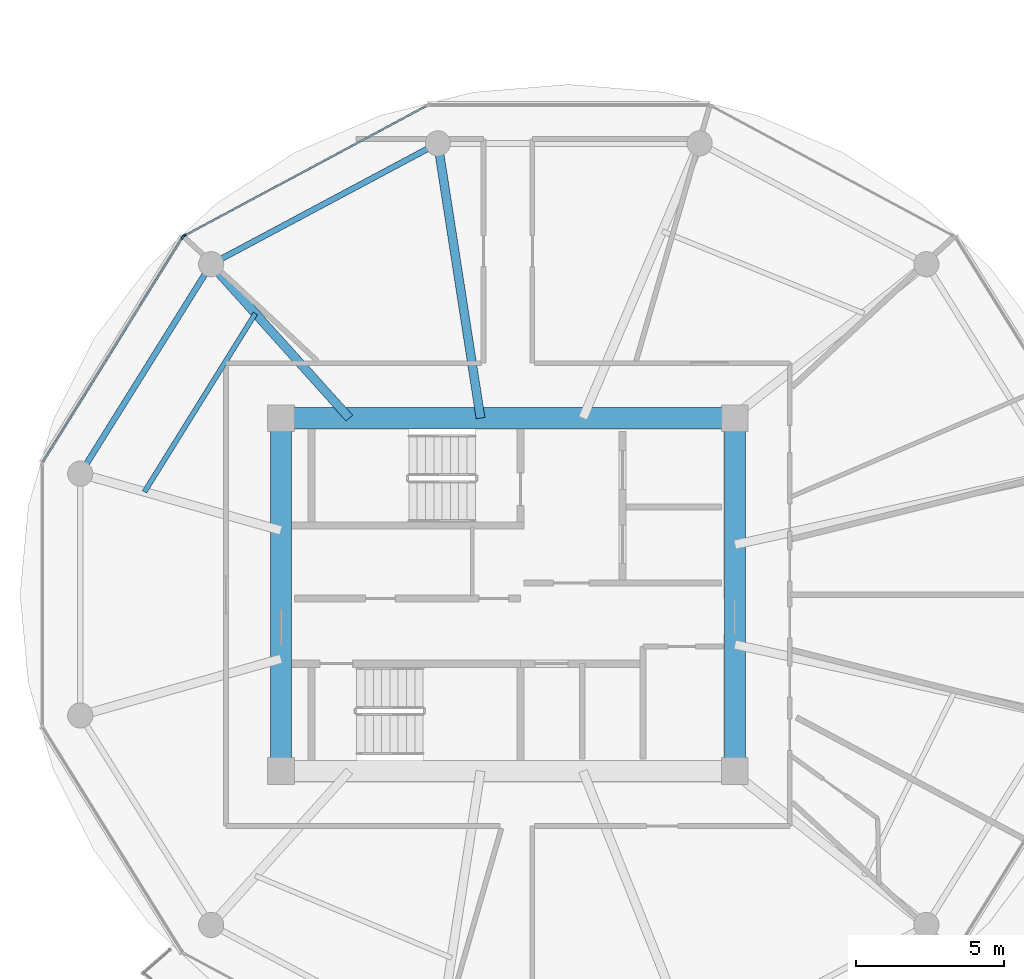
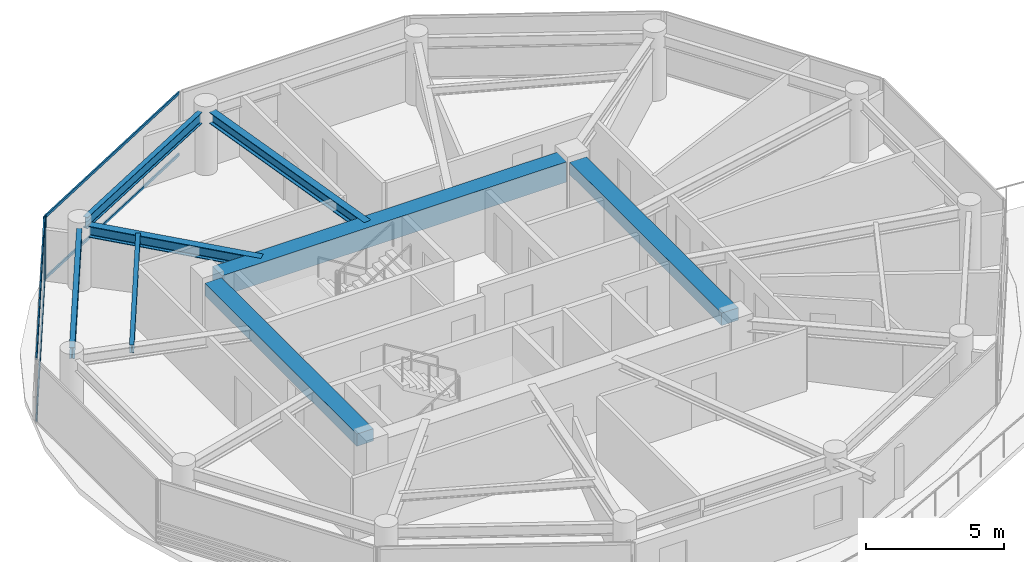
# One storey, part 4 of 24: 8 beams, 6 members, 2 elements without a shape of their own.
"""IFC4 building model written with IfcOpenShell, lengths in metres."""

from ifc_helpers import new_model, si_unit, direction, frame, origin, origin_2d, place, context, subcontext, project, spatial, rectangle, i_section, extrude, source, transform, mapped, material, layer, layer_set, material_profile, profile_set, type_object, type_shapes, element, aggregate, save


model = new_model("IFC4")

# Units and contexts
model_context = context("Model", 3, precision=1e-05, world=origin(), true_north=direction((0.0, 1.0)))
body_context = subcontext(model_context, "Body", "Model", "MODEL_VIEW")
ifc_project = project(units=[si_unit("LENGTHUNIT", "METRE"), si_unit("AREAUNIT", "SQUARE_METRE"), si_unit("VOLUMEUNIT", "CUBIC_METRE"), si_unit("PLANEANGLEUNIT", "RADIAN"), si_unit("MASSUNIT", "GRAM", prefix="KILO")], contexts=[model_context])

# Site, building, storey
site_placement = place(None, origin())
site = spatial("IfcSite", under=ifc_project, at=site_placement, CompositionType="ELEMENT")
building_placement = place(site_placement, origin())
building = spatial("IfcBuilding", under=site, at=building_placement, Name="Norrkilde Senior Care Towers", CompositionType="ELEMENT")
storey_placement = place(building_placement, frame((0.0, 0.0, 117.60009765625)))
storey = spatial("IfcBuildingStorey", under=building, at=storey_placement, Name="L36", CompositionType="ELEMENT", Elevation=117.60009765625)

# Beams
ifc_material_1 = material(Name="Concrete C60/75", Category="concrete")
ifc_material_profile_1 = material_profile(ifc_material_1, rectangle(XDim=0.699951171875, YDim=0.89990234375, at=origin_2d()), Name="RC BM 700x900")
ifc_profile_set_1 = profile_set([ifc_material_profile_1], Name="Concrete C60/75")
beam_type_1 = type_object("IfcBeamType", Name="Core Coupling Girder 700x900", PredefinedType="USERDEFINED", material=ifc_profile_set_1)
shared_shape_1 = source(origin(), body_context, "Body", "SweptSolid", [
    extrude(rectangle(XDim=0.699951171875, YDim=0.89990234375, at=origin_2d()), origin(), (0.0, 0.0, 1.0), 14.43994140625),
])
type_shapes(beam_type_1, [shared_shape_1])
beam_1_placement = place(storey_placement, frame((-35.219970703125, 5.949951171875, 2.33984375), z_axis=(1.0, 0.0, 0.0), x_axis=(0.0, 1.0, 0.0)))
element("IfcBeam", 1, at=beam_1_placement, inside=storey, type_object=beam_type_1, Name="L36 Core W N Coupling Girder", ObjectType="GIRDER", PredefinedType="USERDEFINED", context=body_context, shape_type="MappedRepresentation", body=[
    mapped(shared_shape_1, transform((0.0, 0.0, 0.0), x_axis=(1.0, 0.0, 0.0), y_axis=(0.0, 1.0, 0.0), z_axis=(0.0, 0.0, 1.0), scale=1.0)),
])
ifc_material_profile_2 = material_profile(ifc_material_1, rectangle(XDim=0.699951171875, YDim=0.550048828125, at=origin_2d()), Name="RC BM 700x550")
ifc_profile_set_2 = profile_set([ifc_material_profile_2], Name="Concrete C60/75")
beam_type_2 = type_object("IfcBeamType", Name="Core Portal Coupling Beam 700x550", PredefinedType="USERDEFINED", material=ifc_profile_set_2)
shared_shape_2 = source(origin(), body_context, "Body", "SweptSolid", [
    extrude(rectangle(XDim=0.699951171875, YDim=0.550048828125, at=origin_2d()), origin(), (0.0, 0.0, 1.0), 11.0400390625),
])
type_shapes(beam_type_2, [shared_shape_2])
for number, where, z_axis, x_axis, name in (
    (2, (-35.64990234375, -5.52001953125, 2.514892578125), (0.0, 1.0, 0.0), (-1.0, 0.0, 0.0), "L36 Core W W Coupling Girder"),
    (3, (-20.35009765625, -5.52001953125, 2.514892578125), (0.0, 1.0, 0.0), (-1.0, 0.0, 0.0), "L36 Core W E Coupling Girder"),
):
    element("IfcBeam", number, at=place(storey_placement, frame(where, z_axis=z_axis, x_axis=x_axis)), inside=storey, type_object=beam_type_2, Name=name, ObjectType="GIRDER", PredefinedType="USERDEFINED", context=body_context, shape_type="MappedRepresentation", body=[
        mapped(shared_shape_2, transform((0.0, 0.0, 0.0), x_axis=(1.0, 0.0, 0.0), y_axis=(0.0, 1.0, 0.0), z_axis=(0.0, 0.0, 1.0), scale=1.0)),
    ])
ifc_material_2 = material(Name="Steel S355", Category="steel")
ifc_material_profile_3 = material_profile(ifc_material_2, i_section(OverallWidth=0.199951171875, OverallDepth=0.5, WebThickness=0.01025390625, FlangeThickness=0.01611328125, FilletRadius=0.02099609375, at=origin_2d()), Name="IPE 500")
ifc_profile_set_3 = profile_set([ifc_material_profile_3], Name="Steel S355")
beam_type_3 = type_object("IfcBeamType", Name="Perimeter Ring Spandrel Z2 IPE500", PredefinedType="SPANDREL", material=ifc_profile_set_3)
shared_shape_3 = source(origin(), body_context, "Body", "SweptSolid", [
    extrude(i_section(OverallWidth=0.199951171875, OverallDepth=0.5, WebThickness=0.01025390625, FlangeThickness=0.01611328125, FilletRadius=0.02099609375, at=origin_2d()), origin(), (0.0, 0.0, 1.0), 7.892333984375),
])
beam_2_placement = place(storey_placement, frame((-30.70263671875, 15.0322265625, 2.539794921875), z_axis=(-0.882350372282, -0.47059305194, 0.0), x_axis=(0.47059305194, -0.882350372282, 0.0)))
element("IfcBeam", 4, at=beam_2_placement, inside=storey, type_object=beam_type_3, Name="L36 Drum W Perimeter Spandrel 04", PredefinedType="SPANDREL", context=body_context, shape_type="MappedRepresentation", body=[
    mapped(shared_shape_3, transform((0.0, 0.0, 0.0), x_axis=(1.0, 0.0, 0.0), y_axis=(0.0, 1.0, 0.0), z_axis=(0.0, 0.0, 1.0), scale=1.0)),
])
ifc_material_profile_4 = material_profile(ifc_material_2, i_section(OverallWidth=0.300048828125, OverallDepth=0.5, WebThickness=0.014404296875, FlangeThickness=0.028076171875, FilletRadius=0.027099609375, at=origin_2d()), Name="HEB 500")
ifc_profile_set_4 = profile_set([ifc_material_profile_4], Name="Steel S355")
beam_type_4 = type_object("IfcBeamType", Name="Radial Floor Beam Z2 HEB500", PredefinedType="BEAM", material=ifc_profile_set_4)
shared_shape_4 = source(origin(), body_context, "Body", "SweptSolid", [
    extrude(i_section(OverallWidth=0.300048828125, OverallDepth=0.5, WebThickness=0.014404296875, FlangeThickness=0.028076171875, FilletRadius=0.027099609375, at=origin_2d()), origin(), (0.0, 0.0, 1.0), 8.989501953125),
])
beam_3_placement = place(storey_placement, frame((-28.924072265625, 5.949951171875, 2.539794921875), z_axis=(-0.153471298636, 0.988153105796, 0.0), x_axis=(-0.988153105796, -0.153471298636, 0.0)))
element("IfcBeam", 5, at=beam_3_placement, inside=storey, type_object=beam_type_4, Name="L36 Drum W Radial Floor Beam 04", PredefinedType="BEAM", context=body_context, shape_type="MappedRepresentation", body=[
    mapped(shared_shape_4, transform((0.0, 0.0, 0.0), x_axis=(1.0, 0.0, 0.0), y_axis=(0.0, 1.0, 0.0), z_axis=(0.0, 0.0, 1.0), scale=1.0)),
])
shared_shape_5 = source(origin(), body_context, "Body", "SweptSolid", [
    extrude(i_section(OverallWidth=0.199951171875, OverallDepth=0.5, WebThickness=0.01025390625, FlangeThickness=0.01611328125, FilletRadius=0.02099609375, at=origin_2d()), origin(), (0.0, 0.0, 1.0), 7.556396484375),
])
type_shapes(beam_type_3, [shared_shape_3, shared_shape_5])
beam_4_placement = place(storey_placement, frame((-38.210205078125, 10.810546875, 2.539794921875), z_axis=(-0.530004748437, -0.847994673706, 0.0), x_axis=(0.847994673706, -0.530004748437, 0.0)))
element("IfcBeam", 6, at=beam_4_placement, inside=storey, type_object=beam_type_3, Name="L36 Drum W Perimeter Spandrel 05", PredefinedType="SPANDREL", context=body_context, shape_type="MappedRepresentation", body=[
    mapped(shared_shape_5, transform((0.0, 0.0, 0.0), x_axis=(1.0, 0.0, 0.0), y_axis=(0.0, 1.0, 0.0), z_axis=(0.0, 0.0, 1.0), scale=1.0)),
])
shared_shape_6 = source(origin(), body_context, "Body", "SweptSolid", [
    extrude(i_section(OverallWidth=0.300048828125, OverallDepth=0.5, WebThickness=0.014404296875, FlangeThickness=0.028076171875, FilletRadius=0.027099609375, at=origin_2d()), origin(), (0.0, 0.0, 1.0), 6.587890625),
])
type_shapes(beam_type_4, [shared_shape_4, shared_shape_6])
beam_5_placement = place(storey_placement, frame((-33.345947265625, 5.949951171875, 2.539794921875), z_axis=(-0.668315438605, 0.743877997068, 0.0), x_axis=(-0.743877997068, -0.668315438605, 0.0)))
element("IfcBeam", 7, at=beam_5_placement, inside=storey, type_object=beam_type_4, Name="L36 Drum W Radial Floor Beam 05", PredefinedType="BEAM", context=body_context, shape_type="MappedRepresentation", body=[
    mapped(shared_shape_6, transform((0.0, 0.0, 0.0), x_axis=(1.0, 0.0, 0.0), y_axis=(0.0, 1.0, 0.0), z_axis=(0.0, 0.0, 1.0), scale=1.0)),
])
ifc_material_profile_5 = material_profile(ifc_material_2, i_section(OverallWidth=0.169921875, OverallDepth=0.360107421875, WebThickness=0.008056640625, FlangeThickness=0.0126953125, FilletRadius=0.01806640625, at=origin_2d()), Name="IPE 360")
ifc_profile_set_5 = profile_set([ifc_material_profile_5], Name="Steel S355")
beam_type_5 = type_object("IfcBeamType", Name="Secondary Floor Joist IPE360", PredefinedType="JOIST", material=ifc_profile_set_5)
shared_shape_7 = source(origin(), body_context, "Body", "SweptSolid", [
    extrude(i_section(OverallWidth=0.169921875, OverallDepth=0.360107421875, WebThickness=0.008056640625, FlangeThickness=0.0126953125, FilletRadius=0.01806640625, at=origin_2d()), origin(), (0.0, 0.0, 1.0), 7.080078125),
])
type_shapes(beam_type_5, [shared_shape_7])
beam_6_placement = place(storey_placement, frame((-36.514892578125, 9.47705078125, 2.60986328125), z_axis=(-0.527961009189, -0.849268610497, 0.0), x_axis=(0.849268610497, -0.527961009189, 0.0)))
element("IfcBeam", 8, at=beam_6_placement, inside=storey, type_object=beam_type_5, Name="L36 Drum W Secondary Floor Joist 2", PredefinedType="JOIST", context=body_context, shape_type="MappedRepresentation", body=[
    mapped(shared_shape_7, transform((0.0, 0.0, 0.0), x_axis=(1.0, 0.0, 0.0), y_axis=(0.0, 1.0, 0.0), z_axis=(0.0, 0.0, 1.0), scale=1.0)),
])

# Curtain wall, member
ifc_material_3 = material(Name="Triple Low-E Insulated Glazing", Category="glass")
ifc_layer = layer(ifc_material_3, 0.195068359375)
ifc_layer_set = layer_set([ifc_layer], Name="Triple Low-E Insulated Glazing")
curtain_wall_type = type_object("IfcCurtainWallType", Name="CW3 Zone 2 Assisted Living Curtain Wall", PredefinedType="NOTDEFINED", material=ifc_layer_set)
curtain_wall_1_placement = place(storey_placement, origin())
curtain_wall_1 = element("IfcCurtainWall", 9, at=curtain_wall_1_placement, inside=storey, type_object=curtain_wall_type, Name="L36 Drum W Curtain Wall 03", PredefinedType="NOTDEFINED")
ifc_material_4 = material(Name="Anodised Aluminium", Category="aluminium")
ifc_material_profile_6 = material_profile(ifc_material_4, rectangle(XDim=0.06494140625, YDim=0.159912109375, at=origin_2d()), Name="ALU MULL 65x160")
ifc_profile_set_6 = profile_set([ifc_material_profile_6], Name="Anodised Aluminium")
member_type_1 = type_object("IfcMemberType", Name="Curtain Wall Mullion Z1-Z2 65x160", PredefinedType="MULLION", material=ifc_profile_set_6)
shared_shape_8 = source(origin(), body_context, "Body", "SweptSolid", [
    extrude(rectangle(XDim=0.06494140625, YDim=0.159912109375, at=origin_2d()), origin(), (0.0, 0.0, 1.0), 2.789794921875),
])
type_shapes(member_type_1, [shared_shape_8])
member_1_placement = place(storey_placement, frame((-38.91796875, 12.0927734375, 0.0), z_axis=(0.0, 0.0, 1.0), x_axis=(-0.472769402511, 0.881186184668, 0.0)))
member_1 = element("IfcMember", 10, at=member_1_placement, type_object=member_type_1, Name="CW-3 mullion 1", PredefinedType="MULLION", context=body_context, shape_type="MappedRepresentation", body=[
    mapped(shared_shape_8, transform((0.0, 0.0, 0.0), x_axis=(1.0, 0.0, 0.0), y_axis=(0.0, 1.0, 0.0), z_axis=(0.0, 0.0, 1.0), scale=1.0)),
])

# Curtain wall, members
curtain_wall_2_placement = place(storey_placement, origin())
curtain_wall_2 = element("IfcCurtainWall", 11, at=curtain_wall_2_placement, inside=storey, type_object=curtain_wall_type, Name="L36 Drum W Curtain Wall 04", PredefinedType="NOTDEFINED")
member_2_placement = place(storey_placement, frame((-38.9638671875, 12.0498046875, 0.0), z_axis=(0.0, 0.0, 1.0), x_axis=(-0.849410171862, 0.527733228002, 0.0)))
member_2 = element("IfcMember", 12, at=member_2_placement, type_object=member_type_1, Name="CW-3 mullion 2", PredefinedType="MULLION", context=body_context, shape_type="MappedRepresentation", body=[
    mapped(shared_shape_8, transform((0.0, 0.0, 0.0), x_axis=(1.0, 0.0, 0.0), y_axis=(0.0, 1.0, 0.0), z_axis=(0.0, 0.0, 1.0), scale=1.0)),
])
ifc_material_profile_7 = material_profile(ifc_material_4, rectangle(XDim=0.06005859375, YDim=0.1201171875, at=origin_2d()), Name="ALU TRAN 60x120")
ifc_profile_set_7 = profile_set([ifc_material_profile_7], Name="Anodised Aluminium")
member_type_2 = type_object("IfcMemberType", Name="Curtain Wall Transom Typical 60x120", PredefinedType="USERDEFINED", material=ifc_profile_set_7)
shared_shape_9 = source(origin(), body_context, "Body", "SweptSolid", [
    extrude(rectangle(XDim=0.06005859375, YDim=0.1201171875, at=origin_2d()), origin(), (0.0, 0.0, 1.0), 8.88427734375),
])
member_3_placement = place(storey_placement, frame((-43.66943359375, 4.475830078125, 0.02978515625), z_axis=(0.527729466743, 0.849412508697, 0.0), x_axis=(-0.849412508697, 0.527729466743, 0.0)))
member_3 = element("IfcMember", 13, at=member_3_placement, type_object=member_type_2, Name="CW-3 transom 1.1", ObjectType="TRANSOM", PredefinedType="USERDEFINED", context=body_context, shape_type="MappedRepresentation", body=[
    mapped(shared_shape_9, transform((0.0, 0.0, 0.0), x_axis=(1.0, 0.0, 0.0), y_axis=(0.0, 1.0, 0.0), z_axis=(0.0, 0.0, 1.0), scale=1.0)),
])
member_4_placement = place(storey_placement, frame((-43.66943359375, 4.475830078125, 2.760009765625), z_axis=(0.527729466743, 0.849412508697, 0.0), x_axis=(-0.849412508697, 0.527729466743, 0.0)))
member_4 = element("IfcMember", 14, at=member_4_placement, type_object=member_type_2, Name="CW-3 transom 1.2", ObjectType="TRANSOM", PredefinedType="USERDEFINED", context=body_context, shape_type="MappedRepresentation", body=[
    mapped(shared_shape_9, transform((0.0, 0.0, 0.0), x_axis=(1.0, 0.0, 0.0), y_axis=(0.0, 1.0, 0.0), z_axis=(0.0, 0.0, 1.0), scale=1.0)),
])
aggregate(curtain_wall_2, [member_2, member_3, member_4])

# Member
shared_shape_10 = source(origin(), body_context, "Body", "SweptSolid", [
    extrude(rectangle(XDim=0.06005859375, YDim=0.1201171875, at=origin_2d()), origin(), (0.0, 0.0, 1.0), 9.220458984375),
])
type_shapes(member_type_2, [shared_shape_9, shared_shape_10])
member_5_placement = place(storey_placement, frame((-38.889404296875, 12.108154296875, 0.02978515625), z_axis=(0.881188517866, 0.472765053681, 0.0), x_axis=(-0.472765053681, 0.881188517866, 0.0)))
member_5 = element("IfcMember", 15, at=member_5_placement, type_object=member_type_2, Name="CW-3 transom 1.1", ObjectType="TRANSOM", PredefinedType="USERDEFINED", context=body_context, shape_type="MappedRepresentation", body=[
    mapped(shared_shape_10, transform((0.0, 0.0, 0.0), x_axis=(1.0, 0.0, 0.0), y_axis=(0.0, 1.0, 0.0), z_axis=(0.0, 0.0, 1.0), scale=1.0)),
])

member_6_placement = place(storey_placement, frame((-38.889404296875, 12.108154296875, 2.760009765625), z_axis=(0.881188517866, 0.472765053681, 0.0), x_axis=(-0.472765053681, 0.881188517866, 0.0)))
member_6 = element("IfcMember", 16, at=member_6_placement, type_object=member_type_2, Name="CW-3 transom 1.2", ObjectType="TRANSOM", PredefinedType="USERDEFINED", context=body_context, shape_type="MappedRepresentation", body=[
    mapped(shared_shape_10, transform((0.0, 0.0, 0.0), x_axis=(1.0, 0.0, 0.0), y_axis=(0.0, 1.0, 0.0), z_axis=(0.0, 0.0, 1.0), scale=1.0)),
])

aggregate(curtain_wall_1, [member_1, member_5, member_6])

save(model, "model.ifc")
